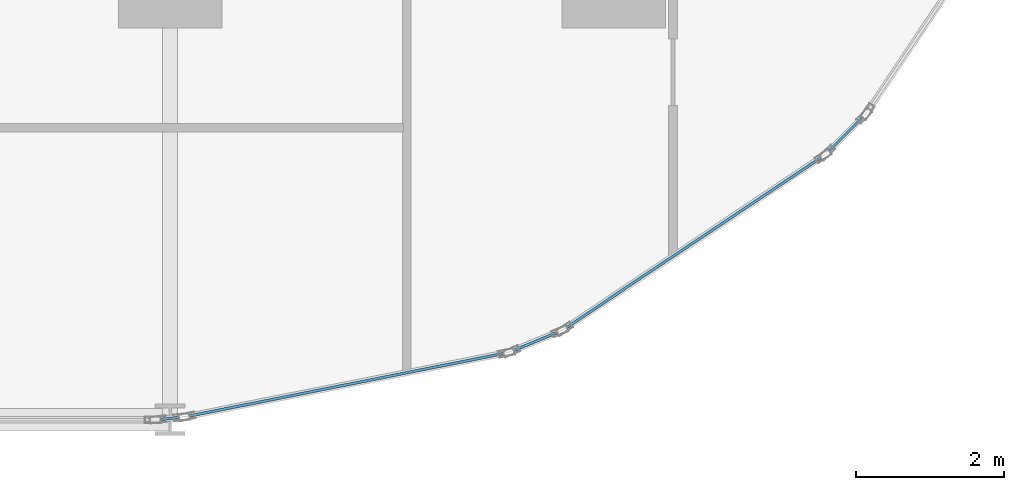
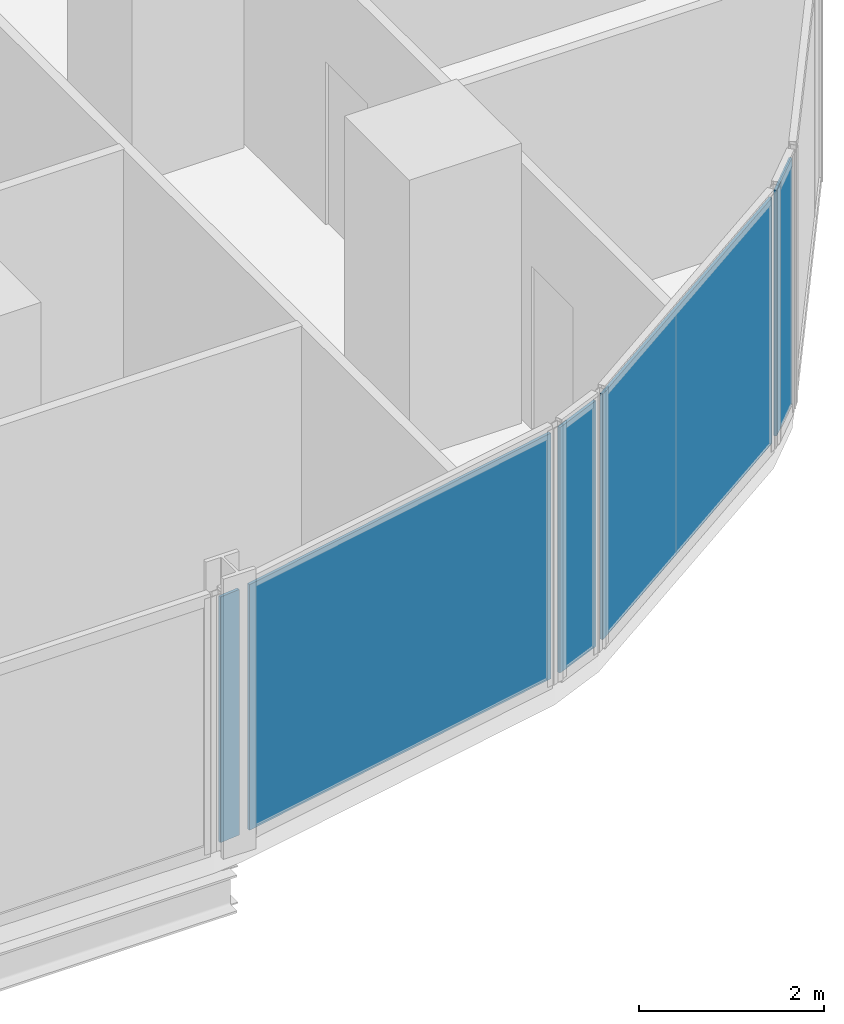
# One storey, part 22 of 35: 5 plates, 5 elements without a shape of their own.
"""IFC4 building model written with IfcOpenShell, lengths in metres."""

import ifcopenshell
import ifcopenshell.guid

model = None  # the IFC model being written
_history = None  # IfcOwnerHistory: only IFC2X3 demands one
_inside = {}  # id of a spatial element -> (the spatial element, [elements in it])
_under = {}  # id of a project, library or spatial element -> (it, [spatial elements below it])
_declared = {}  # id of a project -> (the project, [libraries it declares])
_typed = {}  # id of a type object -> (the type object, [elements of that type])
_made_of = {}  # id of a material, layer set ... -> (it, [elements and type objects made of it])


def new_model(schema):
    """Start an empty IFC model of exactly this schema.

    Asked for "IFC4X3", IfcOpenShell would pick the latest addendum, in which some entities
    have other attributes; the version numbers below select the first issue.
    IFC2X3 requires an IfcOwnerHistory on every rooted entity: one is made here for all.
    """
    global model, _history
    if schema == "IFC4X3":
        model = ifcopenshell.file(schema_version=(4, 3, 0, 0))
    else:
        model = ifcopenshell.file(schema=schema)
    _inside.clear()
    _under.clear()
    _declared.clear()
    _typed.clear()
    _made_of.clear()
    _history = None
    if model.schema == "IFC2X3":
        org = make("IfcOrganization", Name="unknown")
        user = make(
            "IfcPersonAndOrganization",
            ThePerson=make("IfcPerson", FamilyName="unknown"),
            TheOrganization=org,
        )
        app = make(
            "IfcApplication",
            ApplicationDeveloper=org,
            Version="unknown",
            ApplicationFullName="unknown",
            ApplicationIdentifier="unknown",
        )
        _history = make(
            "IfcOwnerHistory",
            OwningUser=user,
            OwningApplication=app,
            ChangeAction="ADDED",
            CreationDate=0,
        )
    return model


def make(cls, **values):
    """One entity of the class cls with the attributes given. An attribute that is None is left unset."""
    return model.create_entity(
        cls, **{name: value for name, value in values.items() if value is not None}
    )


def rooted(cls, **values):
    """An entity with a GlobalId (a new one), such as an element, a storey or a relation."""
    return make(cls, GlobalId=ifcopenshell.guid.new(), OwnerHistory=_history, **values)


def si_unit(unit_type, name, prefix=None):
    """IfcSIUnit, for example si_unit("LENGTHUNIT", "METRE", prefix="MILLI")."""
    return make("IfcSIUnit", UnitType=unit_type, Prefix=prefix, Name=name)


def assignment(units):
    """IfcUnitAssignment: the units of a project."""
    return None if units is None else make("IfcUnitAssignment", Units=units)


def point(xyz):
    """IfcCartesianPoint."""
    return None if xyz is None else make("IfcCartesianPoint", Coordinates=xyz)


def direction(xyz):
    """IfcDirection."""
    return None if xyz is None else make("IfcDirection", DirectionRatios=xyz)


def frame(location, z_axis=None, x_axis=None):
    """IfcAxis2Placement3D, a coordinate frame: its origin and axes. An axis left out is left unset."""
    return make(
        "IfcAxis2Placement3D",
        Location=point(location),
        Axis=direction(z_axis),
        RefDirection=direction(x_axis),
    )


def frame_2d(location, x_axis=None):
    """IfcAxis2Placement2D, a coordinate frame in the plane: its origin and x axis."""
    return make(
        "IfcAxis2Placement2D", Location=point(location), RefDirection=direction(x_axis)
    )


def origin():
    """The frame at (0, 0, 0) with its axes left unset."""
    return frame((0.0, 0.0, 0.0))


def origin_2d():
    """The frame at (0, 0) in the plane with its x axis left unset."""
    return frame_2d((0.0, 0.0))


def place(relative_to, where):
    """IfcLocalPlacement: puts the frame where relative to a parent placement (None: the world)."""
    return make(
        "IfcLocalPlacement", PlacementRelTo=relative_to, RelativePlacement=where
    )


def context(
    kind, dimensions, precision=None, world=None, true_north=None, identifier=None
):
    """IfcGeometricRepresentationContext, for example the 3D "Model" context."""
    return make(
        "IfcGeometricRepresentationContext",
        ContextIdentifier=identifier,
        ContextType=kind,
        CoordinateSpaceDimension=dimensions,
        Precision=precision,
        WorldCoordinateSystem=world,
        TrueNorth=true_north,
    )


def subcontext(parent, identifier, kind, view, scale=None):
    """IfcGeometricRepresentationSubContext, for example "Body" below "Model"."""
    return make(
        "IfcGeometricRepresentationSubContext",
        ContextIdentifier=identifier,
        ContextType=kind,
        ParentContext=parent,
        TargetScale=scale,
        TargetView=view,
    )


def project(units=None, contexts=None):
    """IfcProject with its units and contexts."""
    return rooted(
        "IfcProject",
        Name="project",
        RepresentationContexts=contexts,
        UnitsInContext=assignment(units),
    )


def spatial(cls, under=None, at=None, **own):
    """A site, building, storey or space (cls), placed at a placement, below another one or the project."""
    s = rooted(cls, ObjectPlacement=at, **own)
    if under is not None:
        _under.setdefault(under.id(), (under, []))[1].append(s)
    return s


def profile(cls, at=None, kind="AREA", **sizes):
    """A parametric profile (cls). Its sizes go by their IFC names, for example OverallWidth=200.0."""
    return make(cls, ProfileType=kind, Position=at, **sizes)


def rectangle(**sizes):
    """IfcRectangleProfileDef."""
    return profile("IfcRectangleProfileDef", **sizes)


def extrude(swept, where, along, depth):
    """IfcExtrudedAreaSolid: the profile swept, set in the frame where, extruded along a direction by depth."""
    return make(
        "IfcExtrudedAreaSolid",
        SweptArea=swept,
        Position=where,
        ExtrudedDirection=direction(along),
        Depth=depth,
    )


def shape(context_of_items, identifier, shape_type, items):
    """IfcShapeRepresentation: the items that make up one representation, for example the "Body"."""
    return make(
        "IfcShapeRepresentation",
        ContextOfItems=context_of_items,
        RepresentationIdentifier=identifier,
        RepresentationType=shape_type,
        Items=items,
    )


def material(Name=None, Category=None):
    """IfcMaterial."""
    return make("IfcMaterial", Name=Name, Category=Category)


def layer(
    of_material, thickness, ventilated=None, Name=None, Category=None, Priority=None
):
    """IfcMaterialLayer: one layer of a wall or slab, of a material (None: an air gap)."""
    return make(
        "IfcMaterialLayer",
        Material=of_material,
        LayerThickness=thickness,
        IsVentilated=ventilated,
        Name=Name,
        Category=Category,
        Priority=Priority,
    )


def layer_set(layers, Name=None):
    """IfcMaterialLayerSet."""
    return make("IfcMaterialLayerSet", MaterialLayers=layers, LayerSetName=Name)


def made_of(thing, what):
    """Note that an element or type object is made of a material, layer set ...; save() writes the relation."""
    if what is not None:
        _made_of.setdefault(what.id(), (what, []))[1].append(thing)
    return thing


def type_object(cls, material=None, **own):
    """A type object (cls), such as IfcWallType, which elements share."""
    return made_of(rooted(cls, **own), material)


def element(
    cls,
    number,
    at=None,
    inside=None,
    cuts=None,
    type_object=None,
    material=None,
    context=None,
    identifier="Body",
    shape_type=None,
    held_by="IfcProductDefinitionShape",
    body=None,
    shapes=None,
    **own,
):
    """One element of the class cls, such as IfcWall. Its Tag is "e" and its number.

    at: its placement. inside: the storey or other place that contains it. cuts: it is an
    opening in that element (IfcRelVoidsElement). A single representation is given by context,
    identifier, shape_type and body (its items); several are given by shapes. held_by: the class
    of the entity that holds the representations. save() writes the other relations.
    """
    e = rooted(cls, Tag="e%d" % number, ObjectPlacement=at, **own)
    if body is not None:
        shapes = [shape(context, identifier, shape_type, body)]
    if shapes is not None:
        e.Representation = make(held_by, Representations=shapes)
    if inside is not None:
        _inside.setdefault(inside.id(), (inside, []))[1].append(e)
    if cuts is not None:
        rooted(
            "IfcRelVoidsElement", RelatingBuildingElement=cuts, RelatedOpeningElement=e
        )
    if type_object is not None:
        _typed.setdefault(type_object.id(), (type_object, []))[1].append(e)
    return made_of(e, material)


def aggregate(whole, parts):
    """IfcRelAggregates: a whole, such as a stair, and the parts it consists of."""
    return rooted("IfcRelAggregates", RelatingObject=whole, RelatedObjects=parts)


def save(model, path):
    """Write the relations noted so far, then the file.

    IfcRelAggregates (storeys below a building ...), IfcRelContainedInSpatialStructure (elements
    in a storey), IfcRelDefinesByType, IfcRelAssociatesMaterial and IfcRelDeclares: one each for
    every whole, place, type object, material and project.
    """
    for whole, parts in _under.values():
        aggregate(whole, parts)
    for where, things in _inside.values():
        rooted(
            "IfcRelContainedInSpatialStructure",
            RelatedElements=things,
            RelatingStructure=where,
        )
    for kind, things in _typed.values():
        rooted("IfcRelDefinesByType", RelatedObjects=things, RelatingType=kind)
    for what, things in _made_of.values():
        rooted("IfcRelAssociatesMaterial", RelatedObjects=things, RelatingMaterial=what)
    for by, libraries in _declared.values():
        rooted("IfcRelDeclares", RelatingContext=by, RelatedDefinitions=libraries)
    model.write(path)


model = new_model("IFC4")

# Units and contexts
model_context = context("Model", 3, precision=1e-05, world=origin(), true_north=direction((0.0, 1.0)))
body_context = subcontext(model_context, "Body", "Model", "MODEL_VIEW")
ifc_project = project(units=[si_unit("LENGTHUNIT", "METRE"), si_unit("AREAUNIT", "SQUARE_METRE"), si_unit("VOLUMEUNIT", "CUBIC_METRE"), si_unit("PLANEANGLEUNIT", "RADIAN"), si_unit("MASSUNIT", "GRAM", prefix="KILO")], contexts=[model_context])

# Site, building, storey
site_placement = place(None, origin())
site = spatial("IfcSite", under=ifc_project, at=site_placement, CompositionType="ELEMENT")
building_placement = place(site_placement, origin())
building = spatial("IfcBuilding", under=site, at=building_placement, Name="Keshet Zoharim Tower", CompositionType="ELEMENT")
storey_placement = place(building_placement, frame((0.0, 0.0, 24.0)))
storey = spatial("IfcBuildingStorey", under=building, at=storey_placement, Name="L04", CompositionType="ELEMENT", Elevation=24.0)

# Curtain wall, plate
ifc_material_1 = material(Name="Aluminium 6063-T6", Category="aluminium")
ifc_layer_1 = layer(ifc_material_1, 0.179931640625)
ifc_layer_set_1 = layer_set([ifc_layer_1], Name="Aluminium 6063-T6")
curtain_wall_type = type_object("IfcCurtainWallType", Name="CW-SYS-01", PredefinedType="NOTDEFINED", material=ifc_layer_set_1)
curtain_wall_1_placement = place(storey_placement, origin())
curtain_wall_1 = element("IfcCurtainWall", 1, at=curtain_wall_1_placement, inside=storey, type_object=curtain_wall_type, Name="L04 Unitised Curtain Wall 21", PredefinedType="NOTDEFINED")
ifc_material_2 = material(Name="Insulated Low-E Clear Glass", Category="glass")
ifc_layer_2 = layer(ifc_material_2, 0.035888671875)
ifc_layer_set_2 = layer_set([ifc_layer_2], Name="Insulated Low-E Clear Glass")
plate_type = type_object("IfcPlateType", Name="CWP-01", PredefinedType="CURTAIN_PANEL", material=ifc_layer_set_2)
plate_1_placement = place(storey_placement, frame((66.137451171875, 4.5625, 0.06982421875), z_axis=(0.0, 0.0, 1.0), x_axis=(-0.707106781187, -0.707106781187, 0.0)))
plate_1 = element("IfcPlate", 2, at=plate_1_placement, type_object=plate_type, Name="CW-01 panel 1.1", PredefinedType="CURTAIN_PANEL", context=body_context, shape_type="SweptSolid", body=[
    extrude(rectangle(XDim=0.63916015625, YDim=0.035888671875, at=origin_2d()), origin(), (0.0, 0.0, 1.0), 3.2451171875),
])
aggregate(curtain_wall_1, [plate_1])

curtain_wall_2_placement = place(storey_placement, origin())
curtain_wall_2 = element("IfcCurtainWall", 3, at=curtain_wall_2_placement, inside=storey, type_object=curtain_wall_type, Name="L04 Unitised Curtain Wall 22", PredefinedType="NOTDEFINED")
plate_2_placement = place(storey_placement, frame((64.083984375, 3.09912109375, 0.06982421875), z_axis=(0.0, 0.0, 1.0), x_axis=(-0.831474282335, -0.555563243758, 0.0)))
plate_2 = element("IfcPlate", 4, at=plate_2_placement, type_object=plate_type, Name="CW-01 panel 1.1", PredefinedType="CURTAIN_PANEL", context=body_context, shape_type="SweptSolid", body=[
    extrude(rectangle(XDim=4.13671875, YDim=0.035888671875, at=origin_2d()), origin(), (0.0, 0.0, 1.0), 3.2451171875),
])
aggregate(curtain_wall_2, [plate_2])

curtain_wall_3_placement = place(storey_placement, origin())
curtain_wall_3 = element("IfcCurtainWall", 5, at=curtain_wall_3_placement, inside=storey, type_object=curtain_wall_type, Name="L04 Unitised Curtain Wall 23", PredefinedType="NOTDEFINED")
plate_3_placement = place(storey_placement, frame((61.945556640625, 1.761474609375, 0.06982421875), z_axis=(0.0, 0.0, 1.0), x_axis=(-0.923720000557, -0.383068349739, 0.0)))
plate_3 = element("IfcPlate", 6, at=plate_3_placement, type_object=plate_type, Name="CW-01 panel 1.1", PredefinedType="CURTAIN_PANEL", context=body_context, shape_type="SweptSolid", body=[
    extrude(rectangle(XDim=0.640625, YDim=0.035888671875, at=origin_2d()), origin(), (0.0, 0.0, 1.0), 3.2451171875),
])
aggregate(curtain_wall_3, [plate_3])

curtain_wall_4_placement = place(storey_placement, origin())
curtain_wall_4 = element("IfcCurtainWall", 7, at=curtain_wall_4_placement, inside=storey, type_object=curtain_wall_type, Name="L04 Unitised Curtain Wall 24", PredefinedType="NOTDEFINED")
plate_4_placement = place(storey_placement, frame((59.388916015625, 1.175048828125, 0.06982421875), z_axis=(0.0, 0.0, 1.0), x_axis=(-0.98076917357, -0.195171279072, 0.0)))
plate_4 = element("IfcPlate", 8, at=plate_4_placement, type_object=plate_type, Name="CW-01 panel 1.1", PredefinedType="CURTAIN_PANEL", context=body_context, shape_type="SweptSolid", body=[
    extrude(rectangle(XDim=4.338134765625, YDim=0.035888671875, at=origin_2d()), origin(), (0.0, 0.0, 1.0), 3.2451171875),
])
aggregate(curtain_wall_4, [plate_4])

curtain_wall_5_placement = place(storey_placement, origin())
curtain_wall_5 = element("IfcCurtainWall", 9, at=curtain_wall_5_placement, inside=storey, type_object=curtain_wall_type, Name="L04 Unitised Curtain Wall 25", PredefinedType="NOTDEFINED")
plate_5_placement = place(storey_placement, frame((56.998046875, 0.718994140625, 0.06982421875), z_axis=(0.0, 0.0, 1.0), x_axis=(-0.995286657009, -0.096976648633, 0.0)))
plate_5 = element("IfcPlate", 10, at=plate_5_placement, type_object=plate_type, Name="CW-01 panel 1.1", PredefinedType="CURTAIN_PANEL", context=body_context, shape_type="SweptSolid", body=[
    extrude(rectangle(XDim=0.251953125, YDim=0.035888671875, at=origin_2d()), origin(), (0.0, 0.0, 1.0), 3.2451171875),
])
aggregate(curtain_wall_5, [plate_5])

save(model, "model.ifc")
